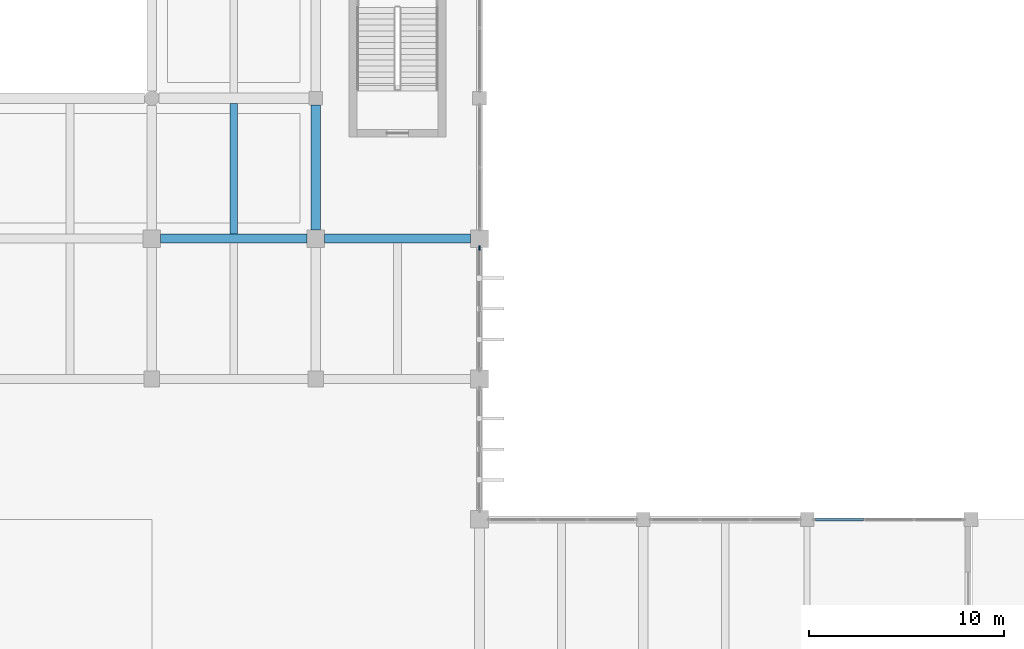
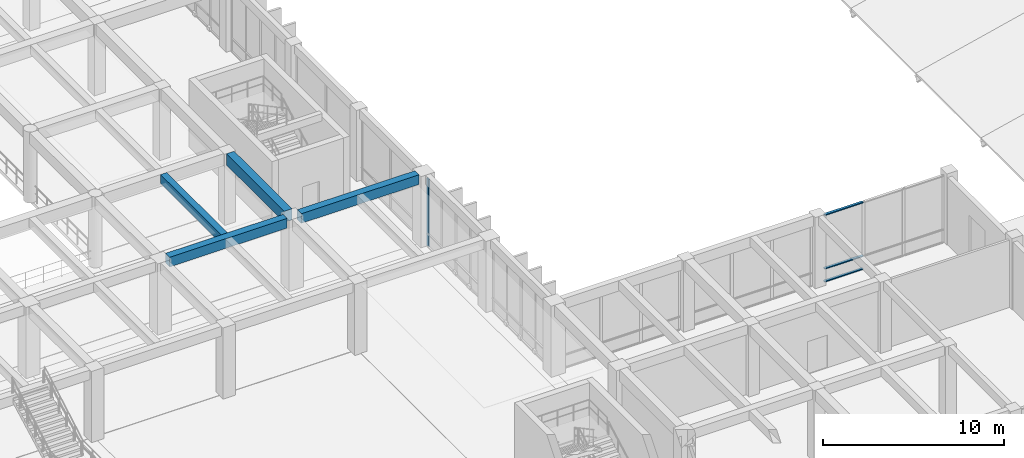
# One storey, part 16 of 51: 4 beams, 4 members, 2 elements without a shape of their own.
"""IFC4 building model written with IfcOpenShell, lengths in metres."""

from ifc_helpers import new_model, si_unit, direction, frame, origin, origin_2d, place, context, subcontext, project, spatial, rectangle, extrude, material, material_profile, profile_set, type_object, element, aggregate, save


model = new_model("IFC4")

# Units and contexts
model_context = context("Model", 3, precision=1e-05, world=origin(), true_north=direction((0.0, 1.0)))
body_context = subcontext(model_context, "Body", "Model", "MODEL_VIEW")
ifc_project = project(units=[si_unit("LENGTHUNIT", "METRE"), si_unit("AREAUNIT", "SQUARE_METRE"), si_unit("VOLUMEUNIT", "CUBIC_METRE"), si_unit("PLANEANGLEUNIT", "RADIAN"), si_unit("MASSUNIT", "GRAM", prefix="KILO")], contexts=[model_context])

# Site, building, storey
site_placement = place(None, origin())
site = spatial("IfcSite", under=ifc_project, at=site_placement, CompositionType="ELEMENT")
building_placement = place(site_placement, origin())
building = spatial("IfcBuilding", under=site, at=building_placement, Name="Kenerak Square Central Library", CompositionType="ELEMENT")
storey_placement = place(building_placement, frame((0.0, 0.0, 9.60009765625)))
storey = spatial("IfcBuildingStorey", under=building, at=storey_placement, Name="L02", CompositionType="ELEMENT", Elevation=9.60009765625)

# Curtain wall, member
ifc_material_1 = material(Name="Anodised aluminium and solar-control low-E glazing", Category="aluminium")
curtain_wall_type_1 = type_object("IfcCurtainWallType", Name="Curtain Wall CW-V1-63x45 6300x4550", PredefinedType="USERDEFINED", material=ifc_material_1)
curtain_wall_1_placement = place(storey_placement, origin())
curtain_wall_1 = element("IfcCurtainWall", 1, at=curtain_wall_1_placement, inside=storey, type_object=curtain_wall_type_1, Name="Curtain Wall CW-V1-63x45 L02 0087", ObjectType="CURTAIN WALL", PredefinedType="USERDEFINED")
ifc_material_2 = material(Name="Anodised aluminium 6063-T6", Category="aluminium")
ifc_material_profile_1 = material_profile(ifc_material_2, rectangle(XDim=0.074951171875, YDim=0.219970703125, at=origin_2d()), Name="AL MULLION 75x220")
ifc_profile_set_1 = profile_set([ifc_material_profile_1], Name="Anodised aluminium 6063-T6")
member_type_1 = type_object("IfcMemberType", Name="Curtain Mullion CM-02 75x220", PredefinedType="MULLION", material=ifc_profile_set_1)
member_1_placement = place(storey_placement, frame((117.199951171875, 52.3125, 0.0), z_axis=(0.0, 0.0, 1.0), x_axis=(1.0, 0.0, 0.0)))
member_1 = element("IfcMember", 2, at=member_1_placement, type_object=member_type_1, Name="CW-V1-63x45 Mullion 1", PredefinedType="MULLION", context=body_context, shape_type="SweptSolid", body=[
    extrude(rectangle(XDim=0.074951171875, YDim=0.219970703125, at=origin_2d()), origin(), (0.0, 0.0, 1.0), 4.5498046875),
])
aggregate(curtain_wall_1, [member_1])

# Curtain wall, members
curtain_wall_type_2 = type_object("IfcCurtainWallType", Name="Curtain Wall CW-V6-77x45 7700x4550", PredefinedType="USERDEFINED", material=ifc_material_1)
curtain_wall_2_placement = place(storey_placement, origin())
curtain_wall_2 = element("IfcCurtainWall", 3, at=curtain_wall_2_placement, inside=storey, type_object=curtain_wall_type_2, Name="Curtain Wall CW-V6-77x45 L02 0091", ObjectType="CURTAIN WALL", PredefinedType="USERDEFINED")
ifc_material_profile_2 = material_profile(ifc_material_2, rectangle(XDim=0.159912109375, YDim=0.06494140625, at=origin_2d()), Name="AL TRANSOM 160x65")
ifc_profile_set_2 = profile_set([ifc_material_profile_2], Name="Anodised aluminium 6063-T6")
member_type_2 = type_object("IfcMemberType", Name="Curtain Transom CT-11 160x65", PredefinedType="USERDEFINED", material=ifc_profile_set_2)
member_2_placement = place(storey_placement, frame((134.4150390625, 38.39990234375, 0.032470703125), z_axis=(1.0, 0.0, 0.0), x_axis=(0.0, 1.0, 0.0)))
member_2 = element("IfcMember", 4, at=member_2_placement, type_object=member_type_2, Name="CW-V6-77x45 Transom 1.1", ObjectType="TRANSOM", PredefinedType="USERDEFINED", context=body_context, shape_type="SweptSolid", body=[
    extrude(rectangle(XDim=0.159912109375, YDim=0.06494140625, at=origin_2d()), origin(), (0.0, 0.0, 1.0), 2.46923828125),
])
member_3_placement = place(storey_placement, frame((134.4150390625, 38.39990234375, 0.89990234375), z_axis=(1.0, 0.0, 0.0), x_axis=(0.0, 1.0, 0.0)))
member_3 = element("IfcMember", 5, at=member_3_placement, type_object=member_type_2, Name="CW-V6-77x45 Transom 1.2", ObjectType="TRANSOM", PredefinedType="USERDEFINED", context=body_context, shape_type="SweptSolid", body=[
    extrude(rectangle(XDim=0.159912109375, YDim=0.06494140625, at=origin_2d()), origin(), (0.0, 0.0, 1.0), 2.46923828125),
])
member_4_placement = place(storey_placement, frame((134.4150390625, 38.39990234375, 4.517333984375), z_axis=(1.0, 0.0, 0.0), x_axis=(0.0, 1.0, 0.0)))
member_4 = element("IfcMember", 6, at=member_4_placement, type_object=member_type_2, Name="CW-V6-77x45 Transom 1.3", ObjectType="TRANSOM", PredefinedType="USERDEFINED", context=body_context, shape_type="SweptSolid", body=[
    extrude(rectangle(XDim=0.159912109375, YDim=0.06494140625, at=origin_2d()), origin(), (0.0, 0.0, 1.0), 2.46923828125),
])
aggregate(curtain_wall_2, [member_2, member_3, member_4])

# Beams
ifc_material_3 = material(Name="Concrete C40/50", Category="concrete")
ifc_material_profile_3 = material_profile(ifc_material_3, rectangle(XDim=0.449951171875, YDim=0.64990234375, at=origin_2d()), Name="RC 450x650")
ifc_profile_set_3 = profile_set([ifc_material_profile_3], Name="Concrete C40/50")
beam_type_1 = type_object("IfcBeamType", Name="Mezzanine Frame Beam B-06 RC 450x650 C40/50", PredefinedType="BEAM", material=ifc_profile_set_3)
for number, where, z_axis, x_axis, name in (
    (7, (100.85009765625, 52.800048828125, 4.474853515625), (1.0, 0.0, 0.0), (0.0, 1.0, 0.0), "Beam B-06 L02 1223"),
    (8, (109.25, 52.800048828125, 4.474853515625), (1.0, 0.0, 0.0), (0.0, 1.0, 0.0), "Beam B-06 L02 1224"),
):
    element("IfcBeam", number, at=place(storey_placement, frame(where, z_axis=z_axis, x_axis=x_axis)), inside=storey, type_object=beam_type_1, Name=name, PredefinedType="BEAM", context=body_context, shape_type="SweptSolid", body=[
        extrude(rectangle(XDim=0.449951171875, YDim=0.64990234375, at=origin_2d()), origin(), (0.0, 0.0, 1.0), 7.5),
    ])
ifc_material_profile_4 = material_profile(ifc_material_3, rectangle(XDim=0.39990234375, YDim=0.60009765625, at=origin_2d()), Name="RC 400x600")
ifc_profile_set_4 = profile_set([ifc_material_profile_4], Name="Concrete C40/50")
beam_type_2 = type_object("IfcBeamType", Name="Secondary Floor Joist J-01 RC 400x600 C40/50", PredefinedType="JOIST", material=ifc_profile_set_4)
beam_1_placement = place(storey_placement, frame((104.60009765625, 53.02490234375, 4.5), z_axis=(0.0, 1.0, 0.0), x_axis=(-1.0, 0.0, 0.0)))
element("IfcBeam", 9, at=beam_1_placement, inside=storey, type_object=beam_type_2, Name="Joist J-01 L02 1400", PredefinedType="JOIST", context=body_context, shape_type="SweptSolid", body=[
    extrude(rectangle(XDim=0.39990234375, YDim=0.60009765625, at=origin_2d()), origin(), (0.0, 0.0, 1.0), 6.7001953125),
])
ifc_material_profile_5 = material_profile(ifc_material_3, rectangle(XDim=0.5, YDim=0.75, at=origin_2d()), Name="RC 500x750")
ifc_profile_set_5 = profile_set([ifc_material_profile_5], Name="Concrete C40/50")
beam_type_3 = type_object("IfcBeamType", Name="Transverse Frame Beam B-05 RC 500x750 C40/50", PredefinedType="BEAM", material=ifc_profile_set_5)
beam_2_placement = place(storey_placement, frame((108.800048828125, 53.25, 4.4248046875), z_axis=(0.0, 1.0, 0.0), x_axis=(-1.0, 0.0, 0.0)))
element("IfcBeam", 10, at=beam_2_placement, inside=storey, type_object=beam_type_3, Name="Beam B-05 L02 1334", PredefinedType="BEAM", context=body_context, shape_type="SweptSolid", body=[
    extrude(rectangle(XDim=0.5, YDim=0.75, at=origin_2d()), origin(), (0.0, 0.0, 1.0), 6.39990234375),
])

save(model, "model.ifc")
